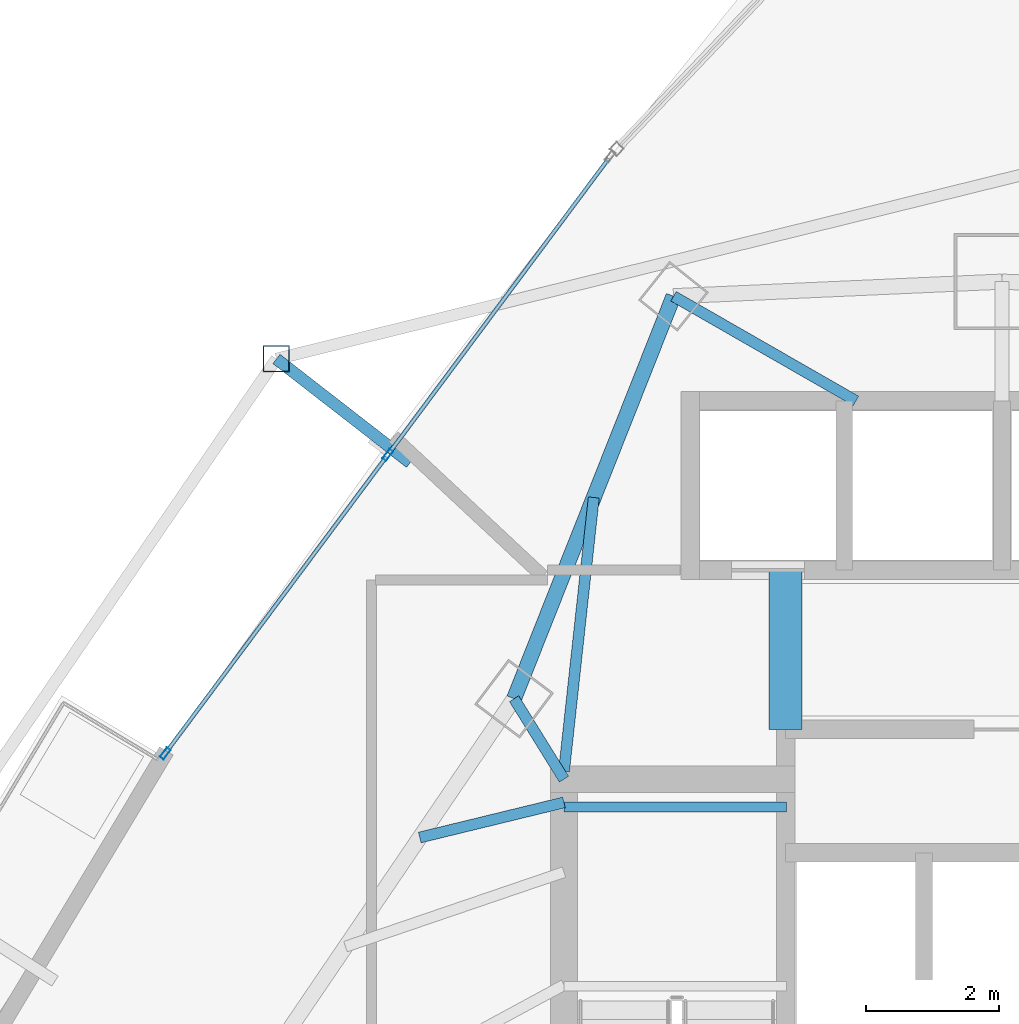
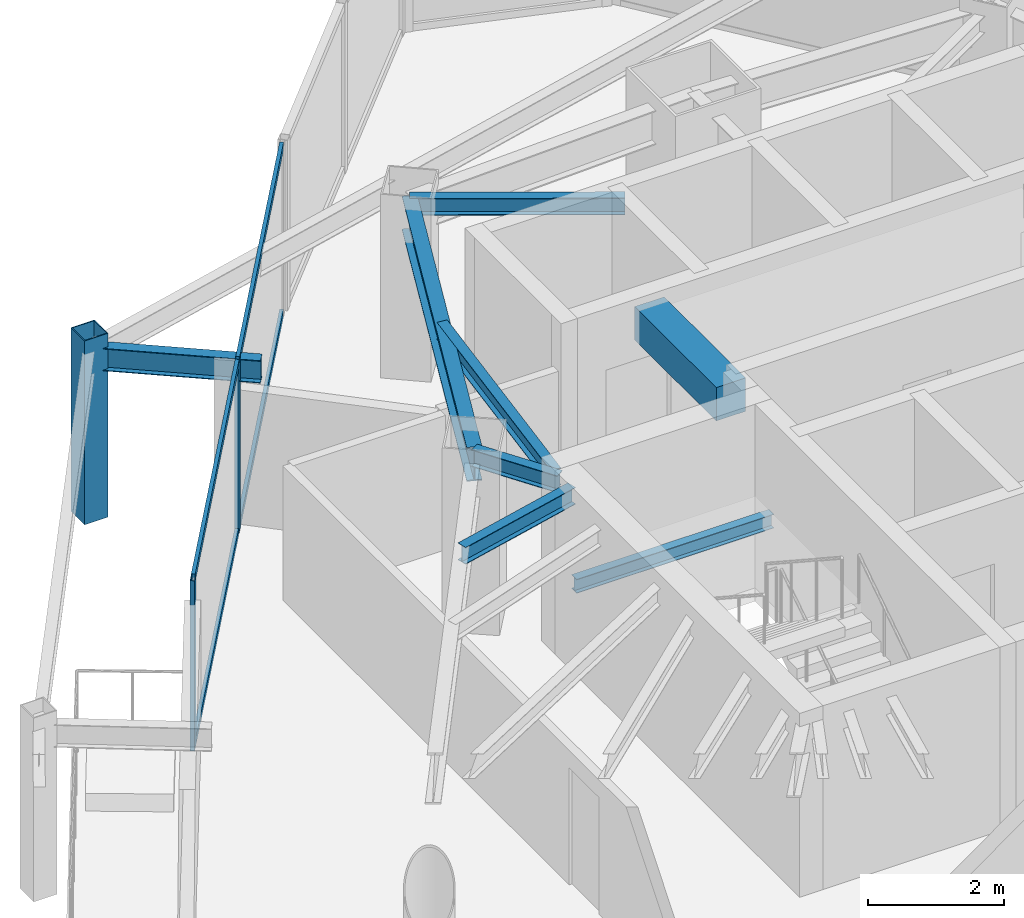
# One storey, part 18 of 30: 8 beams, 7 members, 1 element without a shape of its own.
"""IFC4 building model written with IfcOpenShell, lengths in metres."""

from ifc_helpers import new_model, si_unit, direction, frame, origin, origin_2d, place, context, subcontext, project, spatial, rectangle, hollow_rectangle, i_section, extrude, material, layer, layer_set, material_profile, profile_set, type_object, element, aggregate, save


model = new_model("IFC4")

# Units and contexts
model_context = context("Model", 3, precision=1e-05, world=origin(), true_north=direction((0.0, 1.0)))
body_context = subcontext(model_context, "Body", "Model", "MODEL_VIEW")
ifc_project = project(units=[si_unit("LENGTHUNIT", "METRE"), si_unit("AREAUNIT", "SQUARE_METRE"), si_unit("VOLUMEUNIT", "CUBIC_METRE"), si_unit("PLANEANGLEUNIT", "RADIAN"), si_unit("MASSUNIT", "GRAM", prefix="KILO")], contexts=[model_context])

# Site, building, storey
site_placement = place(None, origin())
site = spatial("IfcSite", under=ifc_project, at=site_placement, CompositionType="ELEMENT")
building_placement = place(site_placement, origin())
building = spatial("IfcBuilding", under=site, at=building_placement, Name="Orvanel Arch Residences", CompositionType="ELEMENT")
storey_placement = place(building_placement, frame((0.0, 0.0, 136.39990234375)))
storey = spatial("IfcBuildingStorey", under=building, at=storey_placement, Name="L38", CompositionType="ELEMENT", Elevation=136.39990234375)

# Beams
ifc_material_1 = material(Name="Structural steel AS/NZS 3679.1 Grade 300 (300 MPa)", Category="steel")
ifc_material_profile_1 = material_profile(ifc_material_1, i_section(OverallWidth=0.14599609375, OverallDepth=0.251953125, WebThickness=0.006103515625, FlangeThickness=0.008544921875, at=origin_2d()), Name="250UB31.4")
ifc_profile_set_1 = profile_set([ifc_material_profile_1], Name="Structural steel AS/NZS 3679.1 Grade 300 (300 MPa)")
beam_type_1 = type_object("IfcBeamType", Name="BJ-250UB", PredefinedType="JOIST", material=ifc_profile_set_1)
beam_1_placement = place(storey_placement, frame((26.39990234375, 33.47998046875, 1.32421875), z_axis=(1.0, 0.0, 0.0), x_axis=(0.0, 1.0, 0.0)))
element("IfcBeam", 1, at=beam_1_placement, inside=storey, type_object=beam_type_1, Name="L38 ST-1 Half-Landing Support Beam 1.2", PredefinedType="JOIST", context=body_context, shape_type="SweptSolid", body=[
    extrude(i_section(OverallWidth=0.14599609375, OverallDepth=0.251953125, WebThickness=0.006103515625, FlangeThickness=0.008544921875, at=origin_2d()), origin(), (0.0, 0.0, 1.0), 3.35009765625),
])
ifc_material_profile_2 = material_profile(ifc_material_1, i_section(OverallWidth=0.1650390625, OverallDepth=0.303955078125, WebThickness=0.006103515625, FlangeThickness=0.01025390625, at=origin_2d()), Name="310UB40.4")
ifc_profile_set_2 = profile_set([ifc_material_profile_2], Name="Structural steel AS/NZS 3679.1 Grade 300 (300 MPa)")
beam_type_2 = type_object("IfcBeamType", Name="BJ-310UB", PredefinedType="JOIST", material=ifc_profile_set_2)
beam_2_placement = place(storey_placement, frame((26.39990234375, 33.89990234375, 2.908203125), z_axis=(-0.526843290616, 0.84996243866, 0.0), x_axis=(-0.84996243866, -0.526843290616, 0.0)))
element("IfcBeam", 2, at=beam_2_placement, inside=storey, type_object=beam_type_2, Name="L38 NNW Wing Floor Joist", PredefinedType="JOIST", context=body_context, shape_type="SweptSolid", body=[
    extrude(i_section(OverallWidth=0.1650390625, OverallDepth=0.303955078125, WebThickness=0.006103515625, FlangeThickness=0.01025390625, at=origin_2d()), origin(), (0.0, 0.0, 1.0), 1.42724609375),
])
beam_3_placement = place(storey_placement, frame((26.39990234375, 34.02001953125, 2.908203125), z_axis=(0.108261441852, 0.99412245735, 0.0), x_axis=(-0.99412245735, 0.108261441852, 0.0)))
element("IfcBeam", 3, at=beam_3_placement, inside=storey, type_object=beam_type_2, Name="L38 NNW2 Wing Floor Joist", PredefinedType="JOIST", context=body_context, shape_type="SweptSolid", body=[
    extrude(i_section(OverallWidth=0.1650390625, OverallDepth=0.303955078125, WebThickness=0.006103515625, FlangeThickness=0.01025390625, at=origin_2d()), origin(), (0.0, 0.0, 1.0), 4.1494140625),
])
beam_4_placement = place(storey_placement, frame((30.800048828125, 39.60009765625, 2.908203125), z_axis=(-0.86736513383, 0.497672306458, 0.0), x_axis=(-0.497672306458, -0.86736513383, 0.0)))
element("IfcBeam", 4, at=beam_4_placement, inside=storey, type_object=beam_type_2, Name="L38 MNW Wing Floor Joist", PredefinedType="JOIST", context=body_context, shape_type="SweptSolid", body=[
    extrude(i_section(OverallWidth=0.1650390625, OverallDepth=0.303955078125, WebThickness=0.006103515625, FlangeThickness=0.01025390625, at=origin_2d()), origin(), (0.0, 0.0, 1.0), 3.17041015625),
])
beam_5_placement = place(storey_placement, frame((26.39990234375, 33.550048828125, 2.908203125), z_axis=(-0.971638471014, -0.236471312521, 0.0), x_axis=(0.236471312521, -0.971638471014, 0.0)))
element("IfcBeam", 5, at=beam_5_placement, inside=storey, type_object=beam_type_2, Name="L38 JADD3 Wing Floor Joist", PredefinedType="JOIST", context=body_context, shape_type="SweptSolid", body=[
    extrude(i_section(OverallWidth=0.1650390625, OverallDepth=0.303955078125, WebThickness=0.006103515625, FlangeThickness=0.01025390625, at=origin_2d()), origin(), (0.0, 0.0, 1.0), 2.2373046875),
])
ifc_material_2 = material(Name="Concrete S65 (65 MPa)", Category="concrete")
ifc_material_profile_3 = material_profile(ifc_material_2, rectangle(XDim=0.5, YDim=0.60009765625, at=origin_2d()), Name="RC500x600")
ifc_profile_set_3 = profile_set([ifc_material_profile_3], Name="Concrete S65 (65 MPa)")
beam_type_3 = type_object("IfcBeamType", Name="CB-500x600", PredefinedType="LINTEL", material=ifc_profile_set_3)
beam_6_placement = place(storey_placement, frame((29.739990234375, 34.64990234375, 2.760009765625), z_axis=(0.0, 1.0, 0.0), x_axis=(-1.0, 0.0, 0.0)))
element("IfcBeam", 6, at=beam_6_placement, inside=storey, type_object=beam_type_3, Name="L38 West Core Lobby Coupling Lintel Beam", PredefinedType="LINTEL", context=body_context, shape_type="SweptSolid", body=[
    extrude(rectangle(XDim=0.5, YDim=0.60009765625, at=origin_2d()), origin(), (0.0, 0.0, 1.0), 2.400146484375),
])

# Curtain wall, members
ifc_material_3 = material(Name="Bronze-anodised aluminium AA6063-T6", Category="aluminium")
ifc_layer = layer(ifc_material_3, 0.179931640625)
ifc_layer_set = layer_set([ifc_layer], Name="Bronze-anodised aluminium AA6063-T6")
curtain_wall_type = type_object("IfcCurtainWallType", Name="CW3-MID-SYS", PredefinedType="NOTDEFINED", material=ifc_layer_set)
curtain_wall_placement = place(storey_placement, origin())
curtain_wall = element("IfcCurtainWall", 7, at=curtain_wall_placement, inside=storey, type_object=curtain_wall_type, Name="L38 CW3-MID-SYS Unitised Curtain Wall", PredefinedType="NOTDEFINED")
ifc_material_profile_4 = material_profile(ifc_material_3, hollow_rectangle(XDim=0.070068359375, YDim=0.179931640625, WallThickness=0.00439453125, at=origin_2d()), Name="ALU180x70x4.5")
ifc_profile_set_4 = profile_set([ifc_material_profile_4], Name="Bronze-anodised aluminium AA6063-T6")
member_type_1 = type_object("IfcMemberType", Name="MUL-180x70", PredefinedType="MULLION", material=ifc_profile_set_4)
member_1_placement = place(storey_placement, frame((23.743408203125, 38.785400390625, 0.0), z_axis=(0.0, 0.0, 1.0), x_axis=(0.801813762641, -0.597574003819, 0.0)))
member_1 = element("IfcMember", 8, at=member_1_placement, type_object=member_type_1, Name="CW-S3 mullion 2", PredefinedType="MULLION", context=body_context, shape_type="SweptSolid", body=[
    extrude(hollow_rectangle(XDim=0.070068359375, YDim=0.179931640625, WallThickness=0.00439453125, at=origin_2d()), origin(), (0.0, 0.0, 1.0), 3.06005859375),
])
member_2_placement = place(storey_placement, frame((20.390869140625, 34.287109375, 0.0), z_axis=(0.0, 0.0, 1.0), x_axis=(0.801813762641, -0.597574003819, 0.0)))
member_2 = element("IfcMember", 9, at=member_2_placement, type_object=member_type_1, Name="CW-S3 mullion 3", PredefinedType="MULLION", context=body_context, shape_type="SweptSolid", body=[
    extrude(hollow_rectangle(XDim=0.070068359375, YDim=0.179931640625, WallThickness=0.00439453125, at=origin_2d()), origin(), (0.0, 0.0, 1.0), 3.06005859375),
])

# Beams
ifc_material_profile_5 = material_profile(ifc_material_1, i_section(OverallWidth=0.177978515625, OverallDepth=0.406005859375, WebThickness=0.0078125, FlangeThickness=0.0126953125, at=origin_2d()), Name="410UB59.7")
ifc_profile_set_5 = profile_set([ifc_material_profile_5], Name="Structural steel AS/NZS 3679.1 Grade 300 (300 MPa)")
beam_type_4 = type_object("IfcBeamType", Name="OB-410UB-EXT", PredefinedType="SPANDREL", material=ifc_profile_set_5)
beam_7_placement = place(storey_placement, frame((24.0810546875, 38.6689453125, 2.857177734375), z_axis=(-0.78984685797, 0.613304117837, 0.0), x_axis=(-0.613304117837, -0.78984685797, 0.0)))
element("IfcBeam", 10, at=beam_7_placement, inside=storey, type_object=beam_type_4, Name="L38 Outer Frame Radial Tie Beam 01", PredefinedType="SPANDREL", context=body_context, shape_type="SweptSolid", body=[
    extrude(i_section(OverallWidth=0.177978515625, OverallDepth=0.406005859375, WebThickness=0.0078125, FlangeThickness=0.0126953125, at=origin_2d()), origin(), (0.0, 0.0, 1.0), 2.550048828125),
])
ifc_material_profile_6 = material_profile(ifc_material_1, i_section(OverallWidth=0.22900390625, OverallDepth=0.612060546875, WebThickness=0.011962890625, FlangeThickness=0.01953125, at=origin_2d()), Name="610UB125")
ifc_profile_set_6 = profile_set([ifc_material_profile_6], Name="Structural steel AS/NZS 3679.1 Grade 300 (300 MPa)")
beam_type_5 = type_object("IfcBeamType", Name="SP-610UB", PredefinedType="SPANDREL", material=ifc_profile_set_6)
beam_8_placement = place(storey_placement, frame((28.050048828125, 41.177978515625, 2.754150390625), z_axis=(-0.368233143579, -0.929733484376, 0.0), x_axis=(0.929733484376, -0.368233143579, 0.0)))
element("IfcBeam", 11, at=beam_8_placement, inside=storey, type_object=beam_type_5, Name="L38 Perimeter Spandrel Beam 16", PredefinedType="SPANDREL", context=body_context, shape_type="SweptSolid", body=[
    extrude(i_section(OverallWidth=0.22900390625, OverallDepth=0.612060546875, WebThickness=0.011962890625, FlangeThickness=0.01953125, at=origin_2d()), origin(), (0.0, 0.0, 1.0), 6.523193359375),
])

# Member
ifc_material_4 = material(Name="Structural steel AS/NZS 1163 C450L0 (Grade 450)", Category="steel")
ifc_material_profile_7 = material_profile(ifc_material_4, hollow_rectangle(XDim=0.39990234375, YDim=0.39990234375, WallThickness=0.01611328125, at=origin_2d()), Name="SHS400x400x16")
ifc_profile_set_7 = profile_set([ifc_material_profile_7], Name="Structural steel AS/NZS 1163 C450L0 (Grade 450)")
member_type_2 = type_object("IfcMemberType", Name="ST-400SHS-EXT", PredefinedType="STRUT", material=ifc_profile_set_7)
member_3_placement = place(storey_placement, frame((22.06689453125, 40.23291015625, 0.0), z_axis=(0.0, 0.0, 1.0), x_axis=(1.0, 0.0, 0.0)))
element("IfcMember", 12, at=member_3_placement, inside=storey, type_object=member_type_2, Name="L38 Outer Perimeter Frame Post 01", PredefinedType="STRUT", context=body_context, shape_type="SweptSolid", body=[
    extrude(hollow_rectangle(XDim=0.39990234375, YDim=0.39990234375, WallThickness=0.01611328125, at=origin_2d()), origin(), (0.0, 0.0, 1.0), 3.300048828125),
])

ifc_material_profile_8 = material_profile(ifc_material_3, hollow_rectangle(XDim=0.06005859375, YDim=0.135009765625, WallThickness=0.00390625, at=origin_2d()), Name="ALU135x60x4")
ifc_profile_set_8 = profile_set([ifc_material_profile_8], Name="Bronze-anodised aluminium AA6063-T6")
member_type_3 = type_object("IfcMemberType", Name="TRN-135x60", PredefinedType="USERDEFINED", material=ifc_profile_set_8)
member_4_placement = place(storey_placement, frame((27.0751953125, 43.255859375, 0.030029296875), z_axis=(-0.597571878991, -0.801815346223, 0.0), x_axis=(0.801815346223, -0.597571878991, 0.0)))
member_4 = element("IfcMember", 13, at=member_4_placement, type_object=member_type_3, Name="CW-S3 transom 1.1", ObjectType="TRANSOM", PredefinedType="USERDEFINED", context=body_context, shape_type="SweptSolid", body=[
    extrude(hollow_rectangle(XDim=0.06005859375, YDim=0.135009765625, WallThickness=0.00390625, at=origin_2d()), origin(), (0.0, 0.0, 1.0), 5.54052734375),
])

member_5_placement = place(storey_placement, frame((27.0751953125, 43.255859375, 3.030029296875), z_axis=(-0.597571878991, -0.801815346223, 0.0), x_axis=(0.801815346223, -0.597571878991, 0.0)))
member_5 = element("IfcMember", 14, at=member_5_placement, type_object=member_type_3, Name="CW-S3 transom 1.2", ObjectType="TRANSOM", PredefinedType="USERDEFINED", context=body_context, shape_type="SweptSolid", body=[
    extrude(hollow_rectangle(XDim=0.06005859375, YDim=0.135009765625, WallThickness=0.00390625, at=origin_2d()), origin(), (0.0, 0.0, 1.0), 5.54052734375),
])

member_6_placement = place(storey_placement, frame((23.72265625, 38.75732421875, 0.030029296875), z_axis=(-0.597592993163, -0.801799609954, 0.0), x_axis=(0.801799609954, -0.597592993163, 0.0)))
member_6 = element("IfcMember", 15, at=member_6_placement, type_object=member_type_3, Name="CW-S3 transom 2.1", ObjectType="TRANSOM", PredefinedType="USERDEFINED", context=body_context, shape_type="SweptSolid", body=[
    extrude(hollow_rectangle(XDim=0.06005859375, YDim=0.135009765625, WallThickness=0.00390625, at=origin_2d()), origin(), (0.0, 0.0, 1.0), 5.540283203125),
])

member_7_placement = place(storey_placement, frame((23.72265625, 38.75732421875, 3.030029296875), z_axis=(-0.597592993163, -0.801799609954, 0.0), x_axis=(0.801799609954, -0.597592993163, 0.0)))
member_7 = element("IfcMember", 16, at=member_7_placement, type_object=member_type_3, Name="CW-S3 transom 2.2", ObjectType="TRANSOM", PredefinedType="USERDEFINED", context=body_context, shape_type="SweptSolid", body=[
    extrude(hollow_rectangle(XDim=0.06005859375, YDim=0.135009765625, WallThickness=0.00390625, at=origin_2d()), origin(), (0.0, 0.0, 1.0), 5.540283203125),
])

aggregate(curtain_wall, [member_1, member_2, member_4, member_5, member_6, member_7])

save(model, "model.ifc")
